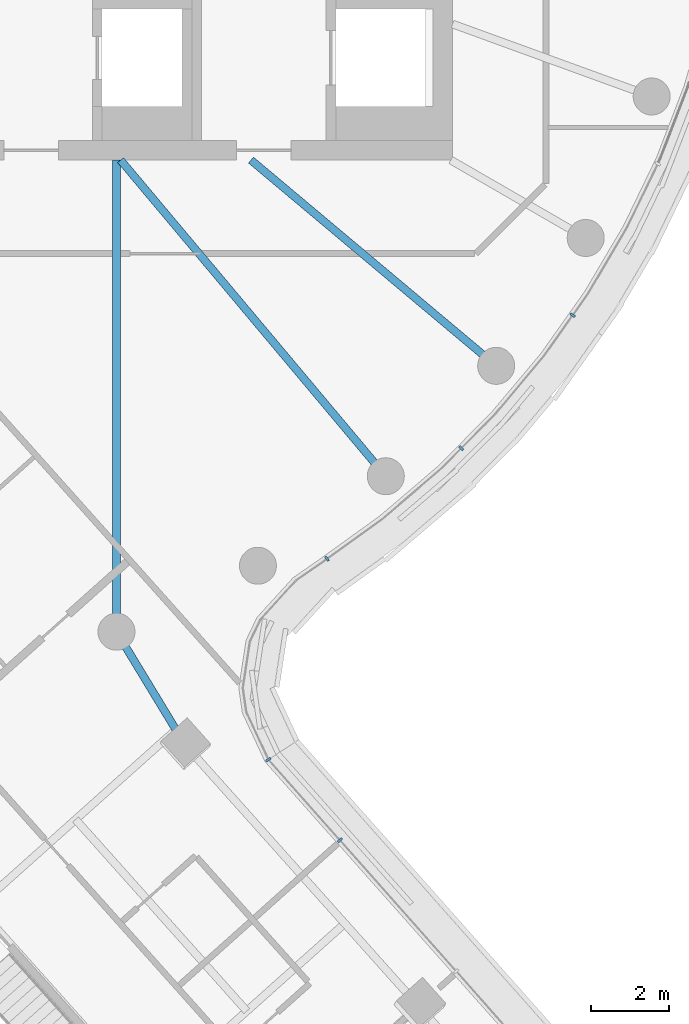
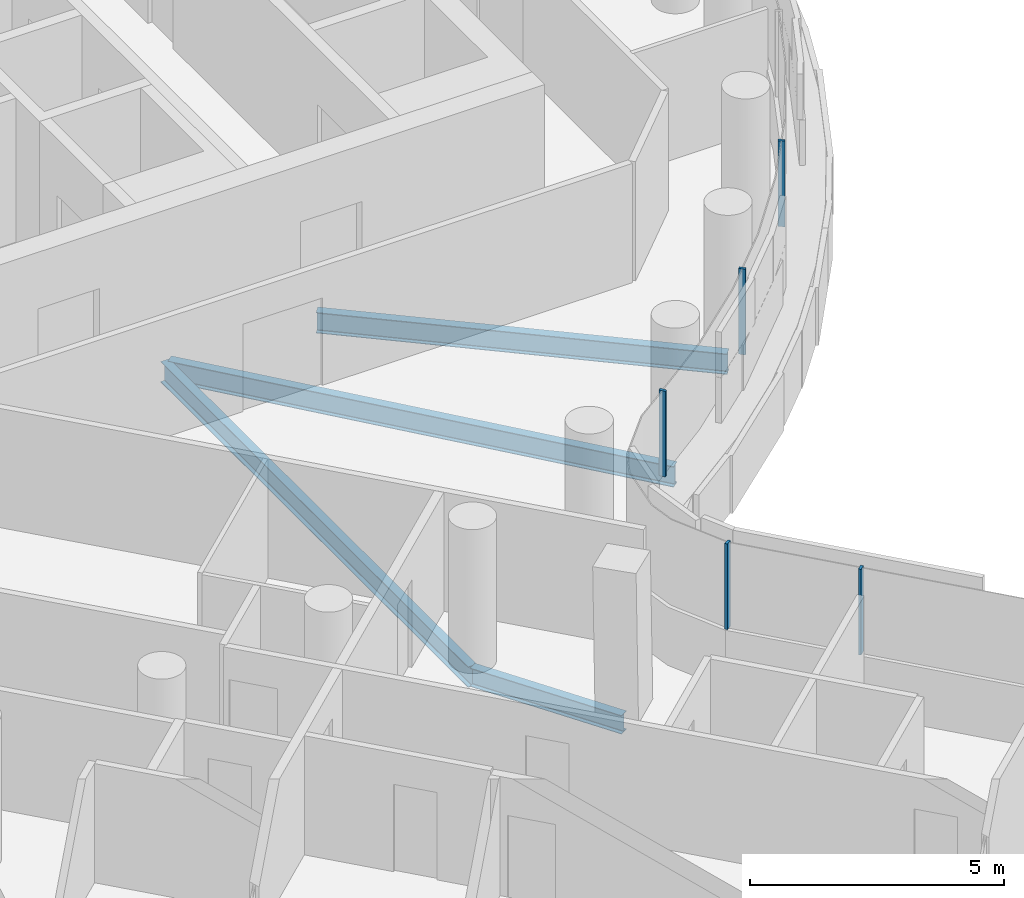
# One storey, part 7 of 33: 5 members, 4 beams, 2 elements without a shape of their own.
"""IFC4 building model written with IfcOpenShell, lengths in metres."""

from ifc_helpers import new_model, si_unit, direction, frame, origin, origin_2d, place, context, subcontext, project, spatial, rectangle, i_section, extrude, material, layer, layer_set, material_profile, profile_set, type_object, element, aggregate, save


model = new_model("IFC4")

# Units and contexts
model_context = context("Model", 3, precision=1e-05, world=origin(), true_north=direction((0.0, 1.0)))
body_context = subcontext(model_context, "Body", "Model", "MODEL_VIEW")
ifc_project = project(units=[si_unit("LENGTHUNIT", "METRE"), si_unit("AREAUNIT", "SQUARE_METRE"), si_unit("VOLUMEUNIT", "CUBIC_METRE"), si_unit("PLANEANGLEUNIT", "RADIAN"), si_unit("MASSUNIT", "GRAM", prefix="KILO")], contexts=[model_context])

# Site, building, storey
site_placement = place(None, origin())
site = spatial("IfcSite", under=ifc_project, at=site_placement, CompositionType="ELEMENT")
building_placement = place(site_placement, origin())
building = spatial("IfcBuilding", under=site, at=building_placement, Name="Tamarind Cross Interchange Tower", CompositionType="ELEMENT")
storey_placement = place(building_placement, frame((0.0, 0.0, 186.10009765625)))
storey = spatial("IfcBuildingStorey", under=building, at=storey_placement, Name="L46", CompositionType="ELEMENT", Elevation=186.10009765625)

# Beams
ifc_material_1 = material(Name="Steel Q355B", Category="steel")
ifc_material_profile_1 = material_profile(ifc_material_1, i_section(OverallWidth=0.198974609375, OverallDepth=0.446044921875, WebThickness=0.008056640625, FlangeThickness=0.011962890625, FilletRadius=0.012939453125, at=origin_2d()), Name="HN 446x199x8x12")
ifc_profile_set_1 = profile_set([ifc_material_profile_1], Name="Steel Q355B")
beam_type_1 = type_object("IfcBeamType", Name="Composite beam HN 446x199x8x12 Q355B", PredefinedType="BEAM", material=ifc_profile_set_1)
beam_1_placement = place(storey_placement, frame((9.632080078125, -24.52294921875, -0.363037109375), z_axis=(-0.518740400761, 0.854931808168, 0.0), x_axis=(-0.854931808168, -0.518740400761, 0.0)))
element("IfcBeam", 1, at=beam_1_placement, inside=storey, type_object=beam_type_1, Name="Beam S-linkep", PredefinedType="BEAM", context=body_context, shape_type="SweptSolid", body=[
    extrude(i_section(OverallWidth=0.198974609375, OverallDepth=0.446044921875, WebThickness=0.008056640625, FlangeThickness=0.011962890625, FilletRadius=0.012939453125, at=origin_2d()), origin(), (0.0, 0.0, 1.0), 3.403564453125),
])
ifc_material_profile_2 = material_profile(ifc_material_1, i_section(OverallWidth=0.198974609375, OverallDepth=0.49609375, WebThickness=0.009033203125, FlangeThickness=0.013916015625, FilletRadius=0.012939453125, at=origin_2d()), Name="HN 496x199x9x14")
ifc_profile_set_2 = profile_set([ifc_material_profile_2], Name="Steel Q355B")
beam_type_2 = type_object("IfcBeamType", Name="Composite beam HN 496x199x9x14 Q355B", PredefinedType="BEAM", material=ifc_profile_set_2)
beam_2_placement = place(storey_placement, frame((7.866455078125, -21.613037109375, -0.38818359375), z_axis=(0.0, 1.0, 0.0), x_axis=(-1.0, 0.0, 0.0)))
element("IfcBeam", 2, at=beam_2_placement, inside=storey, type_object=beam_type_2, Name="Beam HH29", PredefinedType="BEAM", context=body_context, shape_type="SweptSolid", body=[
    extrude(i_section(OverallWidth=0.198974609375, OverallDepth=0.49609375, WebThickness=0.009033203125, FlangeThickness=0.013916015625, FilletRadius=0.012939453125, at=origin_2d()), origin(), (0.0, 0.0, 1.0), 12.113037109375),
])
beam_3_placement = place(storey_placement, frame((14.7841796875, -17.619140625, -0.38818359375), z_axis=(-0.642786293979, 0.766045547127, 0.0), x_axis=(-0.766045547127, -0.642786293979, 0.0)))
element("IfcBeam", 3, at=beam_3_placement, inside=storey, type_object=beam_type_2, Name="Beam HH31", PredefinedType="BEAM", context=body_context, shape_type="SweptSolid", body=[
    extrude(i_section(OverallWidth=0.198974609375, OverallDepth=0.49609375, WebThickness=0.009033203125, FlangeThickness=0.013916015625, FilletRadius=0.012939453125, at=origin_2d()), origin(), (0.0, 0.0, 1.0), 10.598876953125),
])
beam_4_placement = place(storey_placement, frame((17.619140625, -14.7841796875, -0.38818359375), z_axis=(-0.766040580814, 0.642792212574, 0.0), x_axis=(-0.642792212574, -0.766040580814, 0.0)))
element("IfcBeam", 4, at=beam_4_placement, inside=storey, type_object=beam_type_2, Name="Beam HH32", PredefinedType="BEAM", context=body_context, shape_type="SweptSolid", body=[
    extrude(i_section(OverallWidth=0.198974609375, OverallDepth=0.49609375, WebThickness=0.009033203125, FlangeThickness=0.013916015625, FilletRadius=0.012939453125, at=origin_2d()), origin(), (0.0, 0.0, 1.0), 8.220703125),
])

# Curtain wall, member
ifc_material_2 = material(Name="Aluminium 6063-T6", Category="aluminium")
ifc_layer = layer(ifc_material_2, 0.139892578125)
ifc_layer_set = layer_set([ifc_layer], Name="Aluminium 6063-T6")
curtain_wall_type = type_object("IfcCurtainWallType", Name="Hotel curtain wall, 4.5 m bays", PredefinedType="NOTDEFINED", material=ifc_layer_set)
curtain_wall_1_placement = place(storey_placement, origin())
curtain_wall_1 = element("IfcCurtainWall", 5, at=curtain_wall_1_placement, inside=storey, type_object=curtain_wall_type, Name="CWS-L46-05", PredefinedType="NOTDEFINED")
ifc_material_profile_3 = material_profile(ifc_material_2, rectangle(XDim=0.06005859375, YDim=0.139892578125, at=origin_2d()), Name="Mullion CW2")
ifc_profile_set_3 = profile_set([ifc_material_profile_3], Name="Aluminium 6063-T6")
member_type = type_object("IfcMemberType", Name="Mullion CW2", PredefinedType="MULLION", material=ifc_profile_set_3)
member_1_placement = place(storey_placement, frame((13.605712890625, -26.967529296875, 1.39990234375), z_axis=(0.0, 0.0, 1.0), x_axis=(-0.663949588874, 0.747777335464, 0.0)))
member_1 = element("IfcMember", 6, at=member_1_placement, type_object=member_type, Name="CWM-L46-05-02", PredefinedType="MULLION", context=body_context, shape_type="SweptSolid", body=[
    extrude(rectangle(XDim=0.06005859375, YDim=0.139892578125, at=origin_2d()), origin(), (0.0, 0.0, 1.0), 2.06005859375),
])
aggregate(curtain_wall_1, [member_1])

# Curtain wall, members
curtain_wall_2_placement = place(storey_placement, origin())
curtain_wall_2 = element("IfcCurtainWall", 7, at=curtain_wall_2_placement, inside=storey, type_object=curtain_wall_type, Name="CWS-L46-06", PredefinedType="NOTDEFINED")
member_2_placement = place(storey_placement, frame((11.769287109375, -24.8994140625, 1.39990234375), z_axis=(0.0, 0.0, 1.0), x_axis=(-0.54873130055, 0.835998779782, 0.0)))
member_2 = element("IfcMember", 8, at=member_2_placement, type_object=member_type, Name="CWM-L46-06-00", PredefinedType="MULLION", context=body_context, shape_type="SweptSolid", body=[
    extrude(rectangle(XDim=0.06005859375, YDim=0.139892578125, at=origin_2d()), origin(), (0.0, 0.0, 1.0), 2.06005859375),
])
member_3_placement = place(storey_placement, frame((13.2744140625, -19.73974609375, 1.39990234375), z_axis=(0.0, 0.0, 1.0), x_axis=(0.811340475102, 0.584573890505, 0.0)))
member_3 = element("IfcMember", 9, at=member_3_placement, type_object=member_type, Name="CWM-L46-06-01", PredefinedType="MULLION", context=body_context, shape_type="SweptSolid", body=[
    extrude(rectangle(XDim=0.06005859375, YDim=0.139892578125, at=origin_2d()), origin(), (0.0, 0.0, 1.0), 2.06005859375),
])
member_4_placement = place(storey_placement, frame((16.72216796875, -16.90234375, 1.39990234375), z_axis=(0.0, 0.0, 1.0), x_axis=(0.704057148523, 0.710143317658, 0.0)))
member_4 = element("IfcMember", 10, at=member_4_placement, type_object=member_type, Name="CWM-L46-06-02", PredefinedType="MULLION", context=body_context, shape_type="SweptSolid", body=[
    extrude(rectangle(XDim=0.06005859375, YDim=0.139892578125, at=origin_2d()), origin(), (0.0, 0.0, 1.0), 2.06005859375),
])
member_5_placement = place(storey_placement, frame((19.58447265625, -13.48388671875, 1.39990234375), z_axis=(0.0, 0.0, 1.0), x_axis=(0.577568978284, 0.816341886298, 0.0)))
member_5 = element("IfcMember", 11, at=member_5_placement, type_object=member_type, Name="CWM-L46-06-03", PredefinedType="MULLION", context=body_context, shape_type="SweptSolid", body=[
    extrude(rectangle(XDim=0.06005859375, YDim=0.139892578125, at=origin_2d()), origin(), (0.0, 0.0, 1.0), 2.06005859375),
])
aggregate(curtain_wall_2, [member_2, member_3, member_4, member_5])

save(model, "model.ifc")
